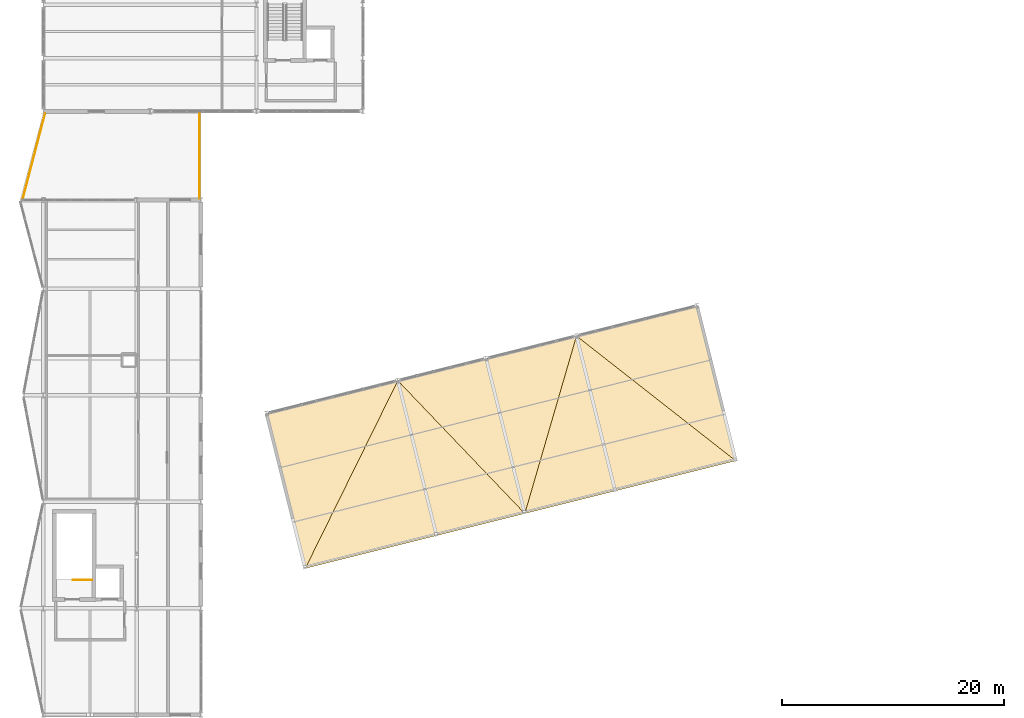
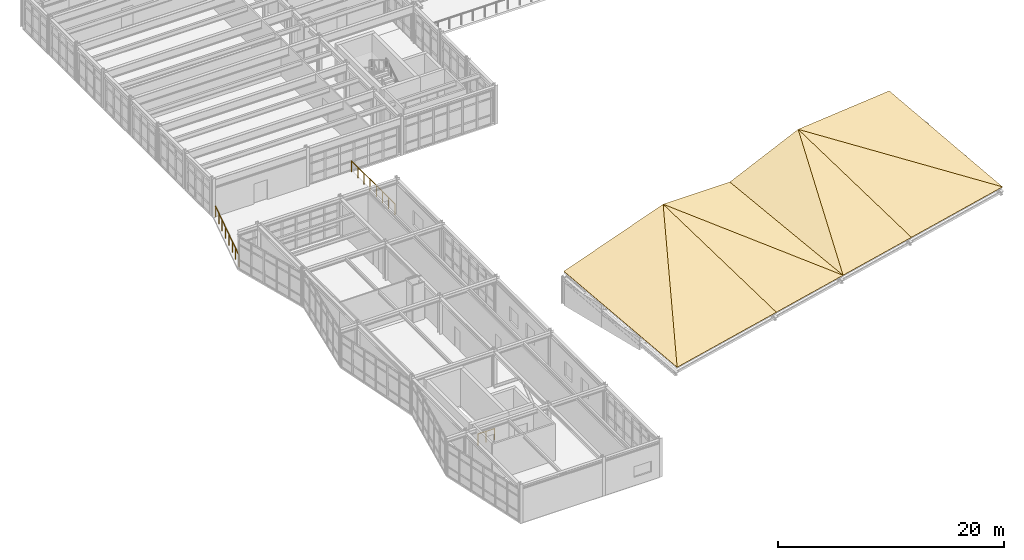
# One storey, part 44 of 47: 8 coverings, 3 railings.
"""IFC4 building model written with IfcOpenShell, lengths in metres."""

from ifc_helpers import new_model, si_unit, direction, frame, origin, origin_2d, place, context, subcontext, project, spatial, polyline, circle, outline, extrude, material, layer, layer_set, type_object, element, save


model = new_model("IFC4")

# Units and contexts
model_context = context("Model", 3, precision=1e-05, world=origin(), true_north=direction((0.0, 1.0)))
body_context = subcontext(model_context, "Body", "Model", "MODEL_VIEW")
ifc_project = project(units=[si_unit("LENGTHUNIT", "METRE"), si_unit("AREAUNIT", "SQUARE_METRE"), si_unit("VOLUMEUNIT", "CUBIC_METRE"), si_unit("PLANEANGLEUNIT", "RADIAN"), si_unit("MASSUNIT", "GRAM", prefix="KILO")], contexts=[model_context])

# Site, building, storey
site_placement = place(None, origin())
site = spatial("IfcSite", under=ifc_project, at=site_placement, CompositionType="ELEMENT")
building_placement = place(site_placement, origin())
building = spatial("IfcBuilding", under=site, at=building_placement, Name="Nordkorset Police Headquarters", CompositionType="ELEMENT")
storey_placement = place(building_placement, frame((0.0, 0.0, 22.050048828125)))
storey = spatial("IfcBuildingStorey", under=building, at=storey_placement, Name="L05", CompositionType="ELEMENT", Elevation=22.050048828125)

# Railings
ifc_material_1 = material(Name="Steel S355J2", Category="steel")
ifc_layer_1 = layer(ifc_material_1, 0.06005859375, Name="Steel S355J2")
ifc_layer_set_1 = layer_set([ifc_layer_1], Name="Steel S355J2")
railing_type_1 = type_object("IfcRailingType", Name="Guardrail_Terrace_1200", PredefinedType="GUARDRAIL", material=ifc_layer_set_1)
railing_1_placement = place(storey_placement, frame((14.050048828125, 75.35009765625, 0.0)))
element("IfcRailing", 1, at=railing_1_placement, inside=storey, type_object=railing_type_1, Name="Terrace Perimeter Guardrail TER-V3-L05-2", PredefinedType="GUARDRAIL", context=body_context, shape_type="SweptSolid", body=[
    extrude(circle(Radius=0.02392578125, at=origin_2d()), frame((0.0, 0.0, 1.17578125), z_axis=(0.0, 1.0, 0.0), x_axis=(-1.0, 0.0, 0.0)), (0.0, 0.0, 1.0), 7.64990234375),
    extrude(circle(Radius=0.02099609375, at=origin_2d()), origin(), (0.0, 0.0, 1.0), 1.15185546875),
    extrude(circle(Radius=0.02099609375, at=origin_2d()), frame((0.0, 1.0927734375, 0.0)), (0.0, 0.0, 1.0), 1.15185546875),
    extrude(circle(Radius=0.02099609375, at=origin_2d()), frame((0.0, 2.185791015625, 0.0)), (0.0, 0.0, 1.0), 1.15185546875),
    extrude(circle(Radius=0.02099609375, at=origin_2d()), frame((0.0, 3.278564453125, 0.0)), (0.0, 0.0, 1.0), 1.15185546875),
    extrude(circle(Radius=0.02099609375, at=origin_2d()), frame((0.0, 4.371337890625, 0.0)), (0.0, 0.0, 1.0), 1.15185546875),
    extrude(circle(Radius=0.02099609375, at=origin_2d()), frame((0.0, 5.464111328125, 0.0)), (0.0, 0.0, 1.0), 1.15185546875),
    extrude(circle(Radius=0.02099609375, at=origin_2d()), frame((0.0, 6.55712890625, 0.0)), (0.0, 0.0, 1.0), 1.15185546875),
    extrude(circle(Radius=0.02099609375, at=origin_2d()), frame((0.0, 7.64990234375, 0.0)), (0.0, 0.0, 1.0), 1.15185546875),
])
railing_2_placement = place(storey_placement, frame((0.14990234375, 83.0, 0.0)))
element("IfcRailing", 2, at=railing_2_placement, inside=storey, type_object=railing_type_1, Name="Terrace Perimeter Guardrail TER-V3-L05-4", PredefinedType="GUARDRAIL", context=body_context, shape_type="SweptSolid", body=[
    extrude(circle(Radius=0.02392578125, at=origin_2d()), frame((0.0, 0.0, 1.17578125), z_axis=(-0.252939710637, -0.967482042615, 0.0), x_axis=(0.967482042615, -0.252939710637, 0.0)), (0.0, 0.0, 1.0), 7.906982421875),
    extrude(circle(Radius=0.02099609375, at=origin_2d()), origin(), (0.0, 0.0, 1.0), 1.15185546875),
    extrude(circle(Radius=0.02099609375, at=origin_2d()), frame((-0.28564453125, -1.0927734375, 0.0)), (0.0, 0.0, 1.0), 1.15185546875),
    extrude(circle(Radius=0.02099609375, at=origin_2d()), frame((-0.571533203125, -2.185791015625, 0.0)), (0.0, 0.0, 1.0), 1.15185546875),
    extrude(circle(Radius=0.02099609375, at=origin_2d()), frame((-0.857177734375, -3.278564453125, 0.0)), (0.0, 0.0, 1.0), 1.15185546875),
    extrude(circle(Radius=0.02099609375, at=origin_2d()), frame((-1.142822265625, -4.371337890625, 0.0)), (0.0, 0.0, 1.0), 1.15185546875),
    extrude(circle(Radius=0.02099609375, at=origin_2d()), frame((-1.428466796875, -5.464111328125, 0.0)), (0.0, 0.0, 1.0), 1.15185546875),
    extrude(circle(Radius=0.02099609375, at=origin_2d()), frame((-1.71435546875, -6.55712890625, 0.0)), (0.0, 0.0, 1.0), 1.15185546875),
    extrude(circle(Radius=0.02099609375, at=origin_2d()), frame((-2.0, -7.64990234375, 0.0)), (0.0, 0.0, 1.0), 1.15185546875),
])
ifc_material_2 = material(Name="Steel S355J2", Category="steel")
ifc_layer_2 = layer(ifc_material_2, 0.050048828125, Name="Steel S355J2")
ifc_layer_set_2 = layer_set([ifc_layer_2], Name="Steel S355J2")
railing_type_2 = type_object("IfcRailingType", Name="Railing_StairGuard_1200", PredefinedType="GUARDRAIL", material=ifc_layer_set_2)
railing_3_placement = place(storey_placement, frame((4.375, 40.97509765625, 0.0)))
element("IfcRailing", 3, at=railing_3_placement, inside=storey, type_object=railing_type_2, Name="L05 ST-04 top well guard 1", PredefinedType="GUARDRAIL", context=body_context, shape_type="SweptSolid", body=[
    extrude(circle(Radius=0.02392578125, at=origin_2d()), frame((0.0, 0.0, 1.17578125), z_axis=(-1.0, 0.0, 0.0), x_axis=(0.0, -1.0, 0.0)), (0.0, 0.0, 1.0), 1.699951171875),
    extrude(circle(Radius=0.02099609375, at=origin_2d()), origin(), (0.0, 0.0, 1.0), 1.15185546875),
    extrude(circle(Radius=0.02099609375, at=origin_2d()), frame((-0.85009765625, 0.0, 0.0)), (0.0, 0.0, 1.0), 1.15185546875),
    extrude(circle(Radius=0.02099609375, at=origin_2d()), frame((-1.699951171875, 0.0, 0.0)), (0.0, 0.0, 1.0), 1.15185546875),
])

# Coverings
ifc_material_3 = material(Name="Patinated Nordic zinc")
ifc_layer_3 = layer(ifc_material_3, 0.0400390625, Name="Patinated Nordic zinc")
ifc_layer_set_3 = layer_set([ifc_layer_3], Name="Patinated Nordic zinc")
covering_type = type_object("IfcCoveringType", Name="Roofing_StandingSeam_Zinc", PredefinedType="ROOFING", material=ifc_layer_set_3)
covering_1_placement = place(storey_placement, frame((23.60009765625, 42.0, 0.429931640625), z_axis=(0.07102094598, -0.284077924105, 0.956167222963), x_axis=(0.970141322982, 0.24254033364, 0.0)))
element("IfcCovering", 4, at=covering_1_placement, inside=storey, type_object=covering_type, Name="Patinated Nordic Zinc Folded Roof Covering SLB-RF-V4-F0A", PredefinedType="ROOFING", context=body_context, shape_type="SweptSolid", body=[
    extrude(outline(polyline([(0.0, 0.0), (12.199968271624629, -4.440892098500626e-16), (12.199860523734912, 15.060086001079267), (0.0, 0.0)])), origin(), (0.0, 0.0, -1.0), 0.0400390625),
])
covering_2_placement = place(storey_placement, frame((23.60009765625, 42.0, 0.429931640625), z_axis=(-0.049559391056, -0.228830373636, 0.972203953324), x_axis=(0.430462805171, 0.873459203855, 0.227531959436)))
element("IfcCovering", 5, at=covering_2_placement, inside=storey, type_object=covering_type, Name="Patinated Nordic Zinc Folded Roof Covering SLB-RF-V4-F0B", PredefinedType="ROOFING", context=body_context, shape_type="SweptSolid", body=[
    extrude(outline(polyline([(0.0, 0.0), (19.381506318098427, 8.881784197001252e-16), (11.406381309641105, 9.323416710293131), (0.0, 0.0)])), origin(), (0.0, 0.0, -1.0), 0.0400390625),
])
covering_3_placement = place(storey_placement, frame((35.435791015625, 44.958984375, 0.429931640625), z_axis=(0.071019567204, -0.284078268815, 0.956167222959), x_axis=(0.970142500145, 0.242535625036, 0.0)))
element("IfcCovering", 6, at=covering_3_placement, inside=storey, type_object=covering_type, Name="Patinated Nordic Zinc Folded Roof Covering SLB-RF-V4-F1A", PredefinedType="ROOFING", context=body_context, shape_type="SweptSolid", body=[
    extrude(outline(polyline([(0.0, 0.0), (8.199906842353874, 0.0), (-0.00017763839724338482, 15.060086000417064), (0.0, 0.0)])), origin(), (0.0, 0.0, -1.0), 0.0400390625),
])
covering_4_placement = place(storey_placement, frame((43.390869140625, 46.94775390625, 0.429931640625), z_axis=(0.228079424219, -0.136884091015, 0.963972261984), x_axis=(-0.238041519029, 0.952182716557, 0.191531484378)))
element("IfcCovering", 7, at=covering_4_placement, inside=storey, type_object=covering_type, Name="Patinated Nordic Zinc Folded Roof Covering SLB-RF-V4-F1B", PredefinedType="ROOFING", context=body_context, shape_type="SweptSolid", body=[
    extrude(outline(polyline([(0.0, 0.0), (14.671523080816037, -1.1102230246251565e-16), (14.977970421052254, 8.34913036773873), (0.0, 0.0)])), origin(), (0.0, 0.0, -1.0), 0.0400390625),
])
covering_5_placement = place(storey_placement, frame((43.390869140625, 46.94775390625, 0.429931640625), z_axis=(0.071021836719, -0.284078836169, 0.956166885826), x_axis=(0.97014079045, 0.242542463714, 0.0)))
element("IfcCovering", 8, at=covering_5_placement, inside=storey, type_object=covering_type, Name="Patinated Nordic Zinc Folded Roof Covering SLB-RF-V4-F2A", PredefinedType="ROOFING", context=body_context, shape_type="SweptSolid", body=[
    extrude(outline(polyline([(0.0, 0.0), (8.39998689065773, 0.0), (8.400147610575718, 15.06002938234819), (0.0, 0.0)])), origin(), (0.0, 0.0, -1.0), 0.0400390625),
])
covering_6_placement = place(storey_placement, frame((43.390869140625, 46.94775390625, 0.429931640625), z_axis=(-0.132600451092, -0.227213968505, 0.964775068545), x_axis=(0.270044583208, 0.92826586676, 0.255731115994)))
element("IfcCovering", 9, at=covering_6_placement, inside=storey, type_object=covering_type, Name="Patinated Nordic Zinc Folded Roof Covering SLB-RF-V4-F2B", PredefinedType="ROOFING", context=body_context, shape_type="SweptSolid", body=[
    extrude(outline(polyline([(0.0, 0.0), (17.244331383867912, 5.551115123125783e-16), (12.743354136769952, 7.270523698866945), (0.0, 0.0)])), origin(), (0.0, 0.0, -1.0), 0.0400390625),
])
covering_7_placement = place(storey_placement, frame((51.5400390625, 48.985107421875, 0.429931640625), z_axis=(0.071016830448, -0.284080087716, 0.956166885829), x_axis=(0.97014506457, 0.242525367106, 0.0)))
element("IfcCovering", 10, at=covering_7_placement, inside=storey, type_object=covering_type, Name="Patinated Nordic Zinc Folded Roof Covering SLB-RF-V4-F3A", PredefinedType="ROOFING", context=body_context, shape_type="SweptSolid", body=[
    extrude(outline(polyline([(0.0, 0.0), (11.200100946822964, -4.440892098500626e-16), (-9.304626933242776e-05, 15.060029382918351), (0.0, 0.0)])), origin(), (0.0, 0.0, -1.0), 0.0400390625),
])
covering_8_placement = place(storey_placement, frame((62.40576171875, 51.701416015625, 0.429931640625), z_axis=(0.160225983415, -0.176165112817, 0.971232972703), x_axis=(-0.237081001372, 0.948274289075, 0.211112461658)))
element("IfcCovering", 11, at=covering_8_placement, inside=storey, type_object=covering_type, Name="Patinated Nordic Zinc Folded Roof Covering SLB-RF-V4-F3B", PredefinedType="ROOFING", context=body_context, shape_type="SweptSolid", body=[
    extrude(outline(polyline([(0.0, 0.0), (14.7319935424471, -4.996003610813204e-16), (15.006591435923449, 11.271692152136428), (0.0, 0.0)])), origin(), (0.0, 0.0, -1.0), 0.0400390625),
])

save(model, "model.ifc")
